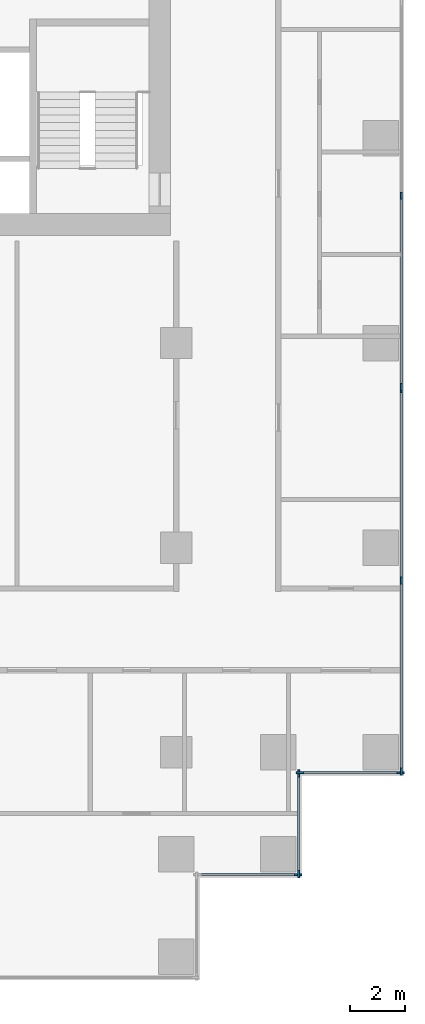
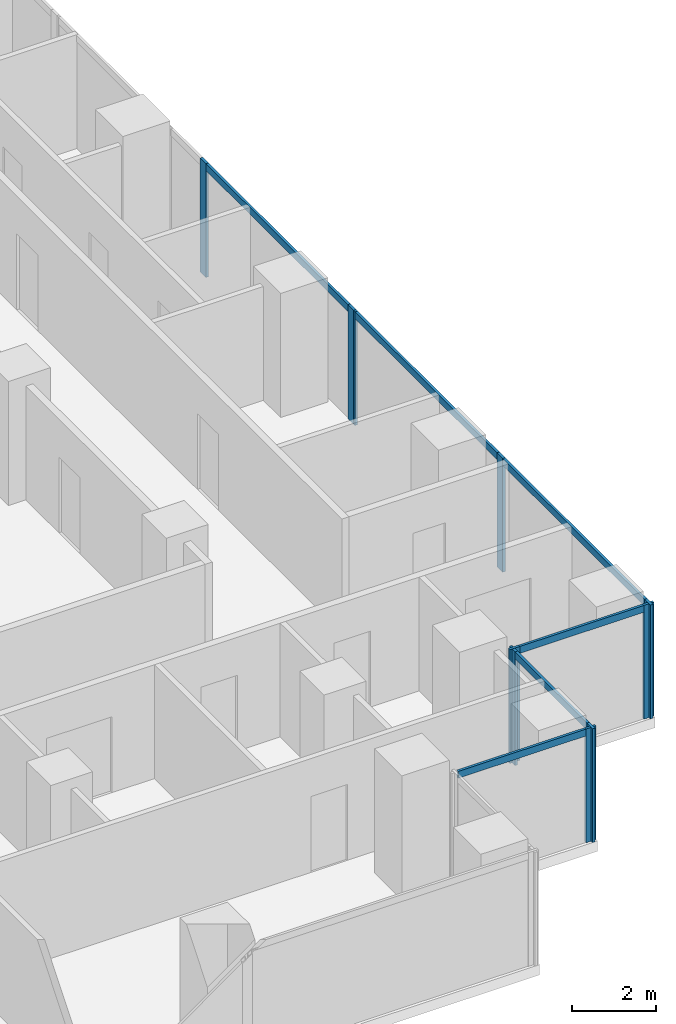
# One storey, part 3 of 11: 16 members, 5 elements without a shape of their own.
"""IFC4 building model written with IfcOpenShell, lengths in metres."""

from ifc_helpers import new_model, si_unit, direction, frame, origin, origin_2d, place, context, subcontext, project, spatial, rectangle, extrude, material, material_profile, profile_set, type_object, element, aggregate, save


model = new_model("IFC4")

# Units and contexts
model_context = context("Model", 3, precision=1e-05, world=origin(), true_north=direction((0.0, 1.0)))
body_context = subcontext(model_context, "Body", "Model", "MODEL_VIEW")
ifc_project = project(units=[si_unit("LENGTHUNIT", "METRE"), si_unit("AREAUNIT", "SQUARE_METRE"), si_unit("VOLUMEUNIT", "CUBIC_METRE"), si_unit("PLANEANGLEUNIT", "RADIAN"), si_unit("MASSUNIT", "GRAM", prefix="KILO")], contexts=[model_context])

# Site, building, storey
site_placement = place(None, origin())
site = spatial("IfcSite", under=ifc_project, at=site_placement, CompositionType="ELEMENT")
building_placement = place(site_placement, origin())
building = spatial("IfcBuilding", under=site, at=building_placement, Name="Pilkhan Gate Tower", CompositionType="ELEMENT")
storey_placement = place(building_placement, frame((0.0, 0.0, 125.199951171875)))
storey = spatial("IfcBuildingStorey", under=building, at=storey_placement, Name="L31", CompositionType="ELEMENT", Elevation=125.199951171875)

# Curtain wall, members
ifc_material_1 = material(Name="Pale anodised aluminium, clear low-iron double glazing", Category="aluminium")
curtain_wall_type = type_object("IfcCurtainWallType", Name="Office unitised curtain wall CW-O1", PredefinedType="USERDEFINED", material=ifc_material_1)
curtain_wall_1_placement = place(storey_placement, origin())
curtain_wall_1 = element("IfcCurtainWall", 1, at=curtain_wall_1_placement, inside=storey, type_object=curtain_wall_type, Name="Office unitised curtain wall CW-O1 L31 E", ObjectType="UNITISED CURTAIN WALL", PredefinedType="USERDEFINED")
ifc_material_2 = material(Name="Pale anodised aluminium", Category="aluminium")
ifc_material_profile_1 = material_profile(ifc_material_2, rectangle(XDim=0.070068359375, YDim=0.27490234375, at=origin_2d()), Name="Mullion 275x70")
ifc_profile_set_1 = profile_set([ifc_material_profile_1], Name="Pale anodised aluminium")
member_type_1 = type_object("IfcMemberType", Name="Mullion CW-O1 275x70", PredefinedType="MULLION", material=ifc_profile_set_1)
member_1_placement = place(storey_placement, frame((98.25, 51.784912109375, 0.0), z_axis=(0.0, 0.0, 1.0), x_axis=(-1.0, 0.0, 0.0)))
member_1 = element("IfcMember", 2, at=member_1_placement, type_object=member_type_1, Name="CW-O1 mullion 1", PredefinedType="MULLION", context=body_context, shape_type="SweptSolid", body=[
    extrude(rectangle(XDim=0.070068359375, YDim=0.27490234375, at=origin_2d()), origin(), (0.0, 0.0, 1.0), 3.300048828125),
])
member_2_placement = place(storey_placement, frame((98.25, 58.800048828125, 0.0), z_axis=(0.0, 0.0, 1.0), x_axis=(-1.0, 0.0, 0.0)))
member_2 = element("IfcMember", 3, at=member_2_placement, type_object=member_type_1, Name="CW-O1 mullion 2", PredefinedType="MULLION", context=body_context, shape_type="SweptSolid", body=[
    extrude(rectangle(XDim=0.070068359375, YDim=0.27490234375, at=origin_2d()), origin(), (0.0, 0.0, 1.0), 3.300048828125),
])
member_3_placement = place(storey_placement, frame((98.25, 65.81494140625, 0.0), z_axis=(0.0, 0.0, 1.0), x_axis=(-1.0, 0.0, 0.0)))
member_3 = element("IfcMember", 4, at=member_3_placement, type_object=member_type_1, Name="CW-O1 mullion 3", PredefinedType="MULLION", context=body_context, shape_type="SweptSolid", body=[
    extrude(rectangle(XDim=0.070068359375, YDim=0.27490234375, at=origin_2d()), origin(), (0.0, 0.0, 1.0), 3.300048828125),
])

curtain_wall_2_placement = place(storey_placement, origin())
curtain_wall_2 = element("IfcCurtainWall", 5, at=curtain_wall_2_placement, inside=storey, type_object=curtain_wall_type, Name="Office unitised curtain wall CW-O1 L31 E", ObjectType="UNITISED CURTAIN WALL", PredefinedType="USERDEFINED")
member_4_placement = place(storey_placement, frame((98.25, 65.885009765625, 0.0), z_axis=(0.0, 0.0, 1.0), x_axis=(-1.0, 0.0, 0.0)))
member_4 = element("IfcMember", 6, at=member_4_placement, type_object=member_type_1, Name="CW-O1 mullion 1", PredefinedType="MULLION", context=body_context, shape_type="SweptSolid", body=[
    extrude(rectangle(XDim=0.070068359375, YDim=0.27490234375, at=origin_2d()), origin(), (0.0, 0.0, 1.0), 3.300048828125),
])
member_5_placement = place(storey_placement, frame((98.25, 72.89990234375, 0.0), z_axis=(0.0, 0.0, 1.0), x_axis=(-1.0, 0.0, 0.0)))
member_5 = element("IfcMember", 7, at=member_5_placement, type_object=member_type_1, Name="CW-O1 mullion 2", PredefinedType="MULLION", context=body_context, shape_type="SweptSolid", body=[
    extrude(rectangle(XDim=0.070068359375, YDim=0.27490234375, at=origin_2d()), origin(), (0.0, 0.0, 1.0), 3.300048828125),
])

# Curtain wall, member
curtain_wall_3_placement = place(storey_placement, origin())
curtain_wall_3 = element("IfcCurtainWall", 8, at=curtain_wall_3_placement, inside=storey, type_object=curtain_wall_type, Name="Office unitised curtain wall CW-O1 L31 S", ObjectType="UNITISED CURTAIN WALL", PredefinedType="USERDEFINED")
member_6_placement = place(storey_placement, frame((94.465087890625, 48.0, 0.0), z_axis=(0.0, 0.0, 1.0), x_axis=(0.0, 1.0, 0.0)))
member_6 = element("IfcMember", 9, at=member_6_placement, type_object=member_type_1, Name="CW-O1 mullion 2", PredefinedType="MULLION", context=body_context, shape_type="SweptSolid", body=[
    extrude(rectangle(XDim=0.070068359375, YDim=0.27490234375, at=origin_2d()), origin(), (0.0, 0.0, 1.0), 3.300048828125),
])

# Curtain wall, members
curtain_wall_4_placement = place(storey_placement, origin())
curtain_wall_4 = element("IfcCurtainWall", 10, at=curtain_wall_4_placement, inside=storey, type_object=curtain_wall_type, Name="Office unitised curtain wall CW-O1 L31 E", ObjectType="UNITISED CURTAIN WALL", PredefinedType="USERDEFINED")
member_7_placement = place(storey_placement, frame((94.5, 48.034912109375, 0.0), z_axis=(0.0, 0.0, 1.0), x_axis=(-1.0, 0.0, 0.0)))
member_7 = element("IfcMember", 11, at=member_7_placement, type_object=member_type_1, Name="CW-O1 mullion 1", PredefinedType="MULLION", context=body_context, shape_type="SweptSolid", body=[
    extrude(rectangle(XDim=0.070068359375, YDim=0.27490234375, at=origin_2d()), origin(), (0.0, 0.0, 1.0), 3.300048828125),
])
member_8_placement = place(storey_placement, frame((94.5, 51.715087890625, 0.0), z_axis=(0.0, 0.0, 1.0), x_axis=(-1.0, 0.0, 0.0)))
member_8 = element("IfcMember", 12, at=member_8_placement, type_object=member_type_1, Name="CW-O1 mullion 2", PredefinedType="MULLION", context=body_context, shape_type="SweptSolid", body=[
    extrude(rectangle(XDim=0.070068359375, YDim=0.27490234375, at=origin_2d()), origin(), (0.0, 0.0, 1.0), 3.300048828125),
])

curtain_wall_5_placement = place(storey_placement, origin())
curtain_wall_5 = element("IfcCurtainWall", 13, at=curtain_wall_5_placement, inside=storey, type_object=curtain_wall_type, Name="Office unitised curtain wall CW-O1 L31 S", ObjectType="UNITISED CURTAIN WALL", PredefinedType="USERDEFINED")
member_9_placement = place(storey_placement, frame((94.534912109375, 51.75, 0.0), z_axis=(0.0, 0.0, 1.0), x_axis=(0.0, 1.0, 0.0)))
member_9 = element("IfcMember", 14, at=member_9_placement, type_object=member_type_1, Name="CW-O1 mullion 1", PredefinedType="MULLION", context=body_context, shape_type="SweptSolid", body=[
    extrude(rectangle(XDim=0.070068359375, YDim=0.27490234375, at=origin_2d()), origin(), (0.0, 0.0, 1.0), 3.300048828125),
])
member_10_placement = place(storey_placement, frame((98.215087890625, 51.75, 0.0), z_axis=(0.0, 0.0, 1.0), x_axis=(0.0, 1.0, 0.0)))
member_10 = element("IfcMember", 15, at=member_10_placement, type_object=member_type_1, Name="CW-O1 mullion 2", PredefinedType="MULLION", context=body_context, shape_type="SweptSolid", body=[
    extrude(rectangle(XDim=0.070068359375, YDim=0.27490234375, at=origin_2d()), origin(), (0.0, 0.0, 1.0), 3.300048828125),
])

# Member
ifc_material_profile_2 = material_profile(ifc_material_2, rectangle(XDim=0.070068359375, YDim=0.199951171875, at=origin_2d()), Name="Transom 200x70")
ifc_profile_set_2 = profile_set([ifc_material_profile_2], Name="Pale anodised aluminium")
member_type_2 = type_object("IfcMemberType", Name="Transom CW-O1 200x70", PredefinedType="USERDEFINED", material=ifc_profile_set_2)
member_11_placement = place(storey_placement, frame((98.25, 51.820068359375, 3.199951171875), z_axis=(0.0, 1.0, 0.0), x_axis=(-1.0, 0.0, 0.0)))
member_11 = element("IfcMember", 16, at=member_11_placement, type_object=member_type_2, Name="CW-O1 transom 1", ObjectType="TRANSOM", PredefinedType="USERDEFINED", context=body_context, shape_type="SweptSolid", body=[
    extrude(rectangle(XDim=0.070068359375, YDim=0.199951171875, at=origin_2d()), origin(), (0.0, 0.0, 1.0), 6.94482421875),
])

member_12_placement = place(storey_placement, frame((98.25, 58.8349609375, 3.199951171875), z_axis=(0.0, 1.0, 0.0), x_axis=(-1.0, 0.0, 0.0)))
member_12 = element("IfcMember", 17, at=member_12_placement, type_object=member_type_2, Name="CW-O1 transom 2", ObjectType="TRANSOM", PredefinedType="USERDEFINED", context=body_context, shape_type="SweptSolid", body=[
    extrude(rectangle(XDim=0.070068359375, YDim=0.199951171875, at=origin_2d()), origin(), (0.0, 0.0, 1.0), 6.945068359375),
])

aggregate(curtain_wall_1, [member_1, member_2, member_3, member_11, member_12])

member_13_placement = place(storey_placement, frame((98.25, 65.919921875, 3.199951171875), z_axis=(0.0, 1.0, 0.0), x_axis=(-1.0, 0.0, 0.0)))
member_13 = element("IfcMember", 18, at=member_13_placement, type_object=member_type_2, Name="CW-O1 transom 1", ObjectType="TRANSOM", PredefinedType="USERDEFINED", context=body_context, shape_type="SweptSolid", body=[
    extrude(rectangle(XDim=0.070068359375, YDim=0.199951171875, at=origin_2d()), origin(), (0.0, 0.0, 1.0), 6.945068359375),
])

aggregate(curtain_wall_2, [member_4, member_5, member_13])

member_14_placement = place(storey_placement, frame((90.820068359375, 48.0, 3.199951171875), z_axis=(1.0, 0.0, 0.0), x_axis=(0.0, 1.0, 0.0)))
member_14 = element("IfcMember", 19, at=member_14_placement, type_object=member_type_2, Name="CW-O1 transom 1", ObjectType="TRANSOM", PredefinedType="USERDEFINED", context=body_context, shape_type="SweptSolid", body=[
    extrude(rectangle(XDim=0.070068359375, YDim=0.199951171875, at=origin_2d()), origin(), (0.0, 0.0, 1.0), 3.60986328125),
])

aggregate(curtain_wall_3, [member_6, member_14])

member_15_placement = place(storey_placement, frame((94.5, 48.070068359375, 3.199951171875), z_axis=(0.0, 1.0, 0.0), x_axis=(-1.0, 0.0, 0.0)))
member_15 = element("IfcMember", 20, at=member_15_placement, type_object=member_type_2, Name="CW-O1 transom 1", ObjectType="TRANSOM", PredefinedType="USERDEFINED", context=body_context, shape_type="SweptSolid", body=[
    extrude(rectangle(XDim=0.070068359375, YDim=0.199951171875, at=origin_2d()), origin(), (0.0, 0.0, 1.0), 3.60986328125),
])

aggregate(curtain_wall_4, [member_7, member_8, member_15])

member_16_placement = place(storey_placement, frame((94.570068359375, 51.75, 3.199951171875), z_axis=(1.0, 0.0, 0.0), x_axis=(0.0, 1.0, 0.0)))
member_16 = element("IfcMember", 21, at=member_16_placement, type_object=member_type_2, Name="CW-O1 transom 1", ObjectType="TRANSOM", PredefinedType="USERDEFINED", context=body_context, shape_type="SweptSolid", body=[
    extrude(rectangle(XDim=0.070068359375, YDim=0.199951171875, at=origin_2d()), origin(), (0.0, 0.0, 1.0), 3.60986328125),
])

aggregate(curtain_wall_5, [member_9, member_10, member_16])

save(model, "model.ifc")
